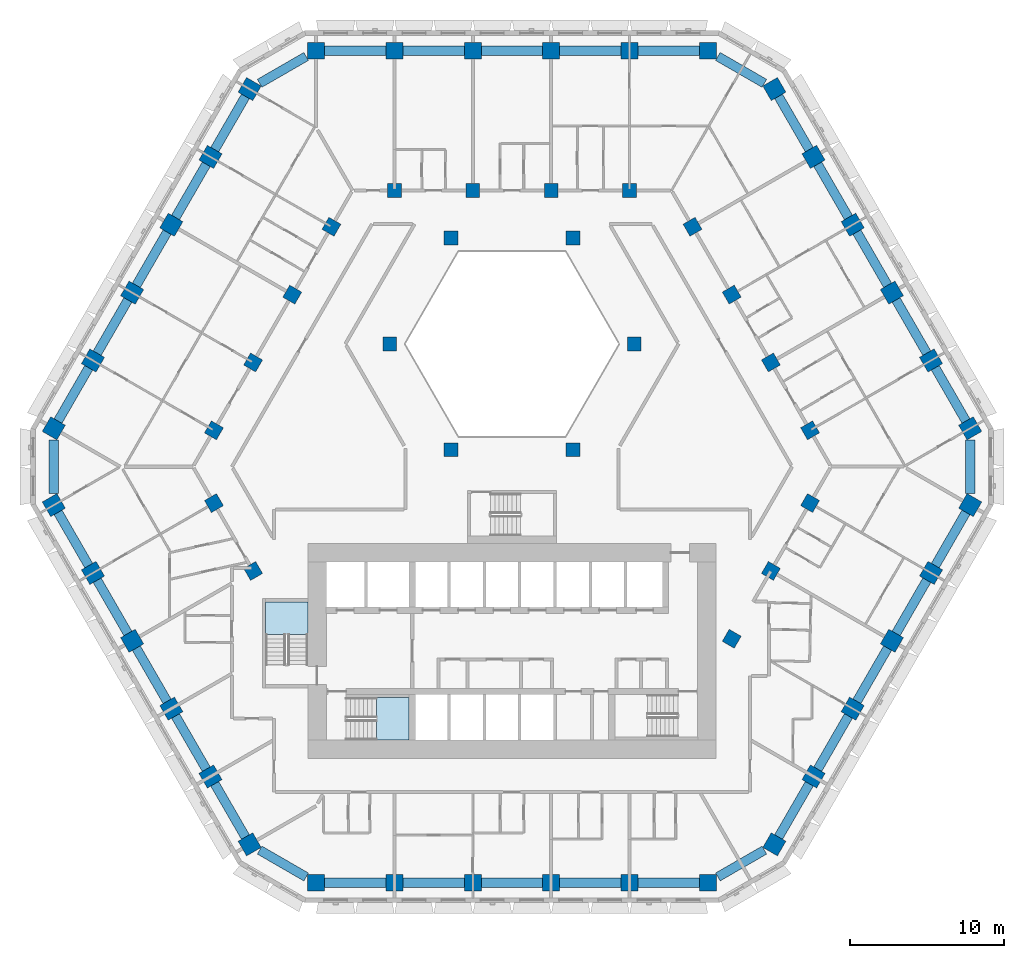
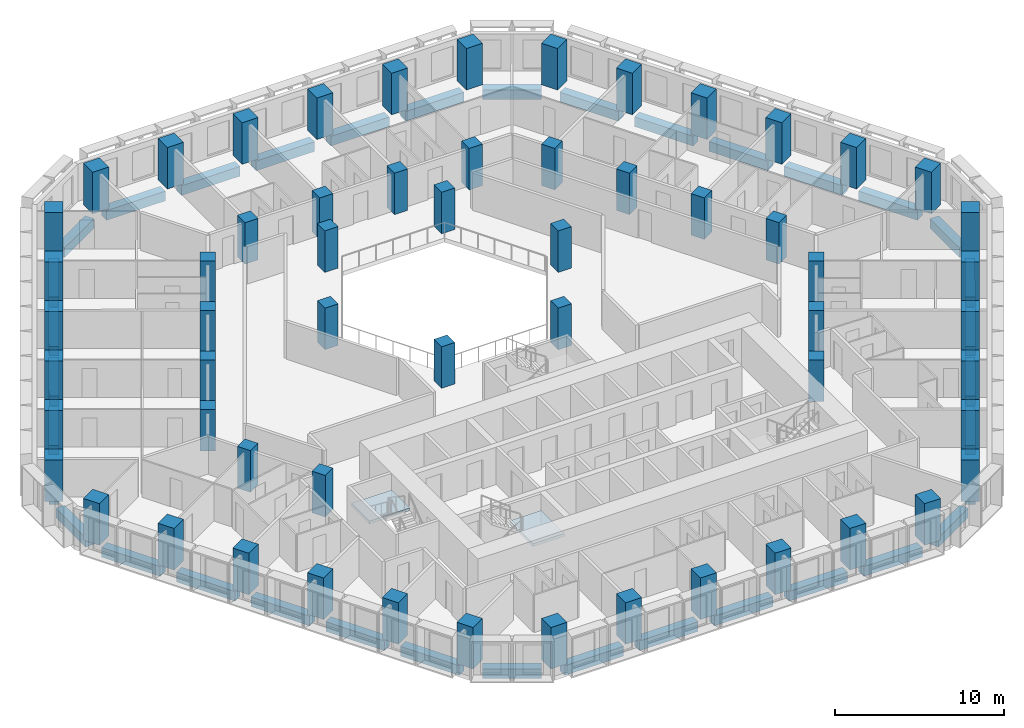
# One storey, part 1 of 21: 59 columns, 36 beams, 2 slabs, 2 elements without a shape of their own.
"""IFC4 building model written with IfcOpenShell, lengths in metres."""

from ifc_helpers import new_model, si_unit, direction, frame, origin, origin_2d, place, context, subcontext, project, spatial, polyline, rectangle, outline, extrude, material, layer, layer_set, material_profile, profile_set, type_object, element, aggregate, save


model = new_model("IFC4")

# Units and contexts
model_context = context("Model", 3, precision=1e-05, world=origin(), true_north=direction((0.0, 1.0)))
body_context = subcontext(model_context, "Body", "Model", "MODEL_VIEW")
ifc_project = project(units=[si_unit("LENGTHUNIT", "METRE"), si_unit("AREAUNIT", "SQUARE_METRE"), si_unit("VOLUMEUNIT", "CUBIC_METRE"), si_unit("PLANEANGLEUNIT", "RADIAN"), si_unit("MASSUNIT", "GRAM", prefix="KILO")], contexts=[model_context])

# Site, building, storey
site_placement = place(None, origin())
site = spatial("IfcSite", under=ifc_project, at=site_placement, CompositionType="ELEMENT")
building_placement = place(site_placement, origin())
building = spatial("IfcBuilding", under=site, at=building_placement, Name="Beryl Residences", CompositionType="ELEMENT")
storey_placement = place(building_placement, frame((0.0, 0.0, 35.39990234375)))
storey = spatial("IfcBuildingStorey", under=building, at=storey_placement, Name="L10", CompositionType="ELEMENT", Elevation=35.39990234375)

# Columns
ifc_material_1 = material(Name="Concrete C80/95", Category="concrete")
ifc_material_profile_1 = material_profile(ifc_material_1, rectangle(XDim=1.10009765625, YDim=1.10009765625, at=origin_2d()))
ifc_profile_set_1 = profile_set([ifc_material_profile_1], Name="Concrete C80/95")
column_type_1 = type_object("IfcColumnType", Name="C1 tube column 1100 x 1100 C80/95", PredefinedType="COLUMN", material=ifc_profile_set_1)
for number, where, z_axis, x_axis, name in (
    (1, (12.759033203125, 27.10009765625, 0.0), (0.0, 0.0, 1.0), (-1.0, 0.0, 0.0), "C1-N1 L10"),
    (2, (7.655029296875, 27.10009765625, 0.0), (0.0, 0.0, 1.0), (-1.0, 0.0, 0.0), "C1-N2 L10"),
    (3, (2.551025390625, 27.10009765625, 0.0), (0.0, 0.0, 1.0), (-1.0, 0.0, 0.0), "C1-N3 L10"),
    (4, (-2.552978515625, 27.10009765625, 0.0), (0.0, 0.0, 1.0), (-1.0, 0.0, 0.0), "C1-N4 L10"),
    (5, (-7.656982421875, 27.10009765625, 0.0), (0.0, 0.0, 1.0), (-1.0, 0.0, 0.0), "C1-N5 L10"),
    (6, (-12.760986328125, 27.10009765625, 0.0), (0.0, 0.0, 1.0), (-1.0, 0.0, 0.0), "C1-N6 L10"),
    (7, (-17.090087890625, 24.60009765625, 0.0), (0.0, 0.0, 1.0), (-0.499984884929, -0.866034130299, 0.0), "C1-NW1 L10"),
    (8, (-19.64208984375, 20.179931640625, 0.0), (0.0, 0.0, 1.0), (-0.499984884929, -0.866034130299, 0.0), "C1-NW2 L10"),
    (9, (-22.194091796875, 15.759033203125, 0.0), (0.0, 0.0, 1.0), (-0.499984884929, -0.866034130299, 0.0), "C1-NW3 L10"),
    (10, (-24.74609375, 11.339111328125, 0.0), (0.0, 0.0, 1.0), (-0.499984884929, -0.866034130299, 0.0), "C1-NW4 L10"),
    (11, (-27.298095703125, 6.9189453125, 0.0), (0.0, 0.0, 1.0), (-0.499984884929, -0.866034130299, 0.0), "C1-NW5 L10"),
    (12, (-29.84912109375, 2.4990234375, 0.0), (0.0, 0.0, 1.0), (-0.499984884929, -0.866034130299, 0.0), "C1-NW6 L10"),
    (13, (-29.847900390625, -2.5, 0.0), (0.0, 0.0, 1.0), (0.499984884929, -0.866034130299, 0.0), "C1-SW1 L10"),
    (14, (-27.297119140625, -6.9208984375, 0.0), (0.0, 0.0, 1.0), (0.499984884929, -0.866034130299, 0.0), "C1-SW2 L10"),
    (15, (-24.7451171875, -11.341064453125, 0.0), (0.0, 0.0, 1.0), (0.499984884929, -0.866034130299, 0.0), "C1-SW3 L10"),
    (16, (-22.193115234375, -15.760986328125, 0.0), (0.0, 0.0, 1.0), (0.499984884929, -0.866034130299, 0.0), "C1-SW4 L10"),
    (17, (-19.64111328125, -20.180908203125, 0.0), (0.0, 0.0, 1.0), (0.499984884929, -0.866034130299, 0.0), "C1-SW5 L10"),
    (18, (-17.089111328125, -24.60107421875, 0.0), (0.0, 0.0, 1.0), (0.499984884929, -0.866034130299, 0.0), "C1-SW6 L10"),
    (19, (-12.759033203125, -27.10009765625, 0.0), (0.0, 0.0, 1.0), (1.0, 0.0, 0.0), "C1-S1 L10"),
    (20, (-7.655029296875, -27.10009765625, 0.0), (0.0, 0.0, 1.0), (1.0, 0.0, 0.0), "C1-S2 L10"),
    (21, (-2.551025390625, -27.10009765625, 0.0), (0.0, 0.0, 1.0), (1.0, 0.0, 0.0), "C1-S3 L10"),
    (22, (2.552978515625, -27.10009765625, 0.0), (0.0, 0.0, 1.0), (1.0, 0.0, 0.0), "C1-S4 L10"),
    (23, (7.656982421875, -27.10009765625, 0.0), (0.0, 0.0, 1.0), (1.0, 0.0, 0.0), "C1-S5 L10"),
    (24, (12.760986328125, -27.10009765625, 0.0), (0.0, 0.0, 1.0), (1.0, 0.0, 0.0), "C1-S6 L10"),
    (25, (17.090087890625, -24.60009765625, 0.0), (0.0, 0.0, 1.0), (0.499984884929, 0.866034130299, 0.0), "C1-SE1 L10"),
    (26, (19.64208984375, -20.179931640625, 0.0), (0.0, 0.0, 1.0), (0.499984884929, 0.866034130299, 0.0), "C1-SE2 L10"),
    (27, (22.194091796875, -15.759033203125, 0.0), (0.0, 0.0, 1.0), (0.499984884929, 0.866034130299, 0.0), "C1-SE3 L10"),
    (28, (24.74609375, -11.339111328125, 0.0), (0.0, 0.0, 1.0), (0.499984884929, 0.866034130299, 0.0), "C1-SE4 L10"),
    (29, (27.298095703125, -6.9189453125, 0.0), (0.0, 0.0, 1.0), (0.499984884929, 0.866034130299, 0.0), "C1-SE5 L10"),
    (30, (29.84912109375, -2.4990234375, 0.0), (0.0, 0.0, 1.0), (0.499984884929, 0.866034130299, 0.0), "C1-SE6 L10"),
    (31, (29.847900390625, 2.5, 0.0), (0.0, 0.0, 1.0), (-0.499984884929, 0.866034130299, 0.0), "C1-NE1 L10"),
    (32, (27.297119140625, 6.9208984375, 0.0), (0.0, 0.0, 1.0), (-0.499984884929, 0.866034130299, 0.0), "C1-NE2 L10"),
    (33, (24.7451171875, 11.341064453125, 0.0), (0.0, 0.0, 1.0), (-0.499984884929, 0.866034130299, 0.0), "C1-NE3 L10"),
    (34, (22.193115234375, 15.760986328125, 0.0), (0.0, 0.0, 1.0), (-0.499984884929, 0.866034130299, 0.0), "C1-NE4 L10"),
    (35, (19.64111328125, 20.180908203125, 0.0), (0.0, 0.0, 1.0), (-0.499984884929, 0.866034130299, 0.0), "C1-NE5 L10"),
    (36, (17.089111328125, 24.60107421875, 0.0), (0.0, 0.0, 1.0), (-0.499984884929, 0.866034130299, 0.0), "C1-NE6 L10"),
):
    element("IfcColumn", number, at=place(storey_placement, frame(where, z_axis=z_axis, x_axis=x_axis)), inside=storey, type_object=column_type_1, Name=name, PredefinedType="COLUMN", context=body_context, shape_type="SweptSolid", body=[
        extrude(rectangle(XDim=1.10009765625, YDim=1.10009765625, at=origin_2d()), origin(), (0.0, 0.0, 1.0), 3.0),
    ])
ifc_material_2 = material(Name="Concrete C80/95", Category="concrete")
ifc_material_profile_2 = material_profile(ifc_material_2, rectangle(XDim=0.89990234375, YDim=0.89990234375, at=origin_2d()))
ifc_profile_set_2 = profile_set([ifc_material_profile_2], Name="Concrete C80/95")
column_type_2 = type_object("IfcColumnType", Name="IC1 interior column 900 x 900 C80/95", PredefinedType="COLUMN", material=ifc_profile_set_2)
for number, where, z_axis, x_axis, name in (
    (37, (-19.416015625, -2.37109375, 0.0), (0.0, 0.0, 1.0), (0.499984884929, -0.866034130299, 0.0), "IC1-M01 L10"),
    (38, (-16.864013671875, -6.791015625, 0.0), (0.0, 0.0, 1.0), (0.499984884929, -0.866034130299, 0.0), "IC1-M02 L10"),
    (39, (14.31298828125, -11.208984375, 0.0), (0.0, 0.0, 1.0), (0.499984884929, 0.866034130299, 0.0), "IC1-M03 L10"),
    (40, (16.864990234375, -6.7890625, 0.0), (0.0, 0.0, 1.0), (0.499984884929, 0.866034130299, 0.0), "IC1-M04 L10"),
    (41, (19.4169921875, -2.368896484375, 0.0), (0.0, 0.0, 1.0), (0.499984884929, 0.866034130299, 0.0), "IC1-M05 L10"),
    (42, (19.416015625, 2.37109375, 0.0), (0.0, 0.0, 1.0), (-0.499984884929, 0.866034130299, 0.0), "IC1-M06 L10"),
    (43, (3.98388671875, 1.10009765625, 0.0), (0.0, 0.0, 1.0), (1.0, 0.0, 0.0), "IC1-A07 L10"),
    (44, (16.864013671875, 6.791015625, 0.0), (0.0, 0.0, 1.0), (-0.499984884929, 0.866034130299, 0.0), "IC1-M08 L10"),
    (45, (14.31201171875, 11.2109375, 0.0), (0.0, 0.0, 1.0), (-0.499984884929, 0.866034130299, 0.0), "IC1-M09 L10"),
    (46, (7.967041015625, 8.0, 0.0), (0.0, 0.0, 1.0), (1.0, 0.0, 0.0), "IC1-A10 L10"),
    (47, (11.760009765625, 15.631103515625, 0.0), (0.0, 0.0, 1.0), (-0.499984884929, 0.866034130299, 0.0), "IC1-M11 L10"),
    (48, (7.655029296875, 18.0, 0.0), (0.0, 0.0, 1.0), (-1.0, 0.0, 0.0), "IC1-M12 L10"),
    (49, (3.98388671875, 14.89990234375, 0.0), (0.0, 0.0, 1.0), (1.0, 0.0, 0.0), "IC1-A13 L10"),
    (50, (2.551025390625, 18.0, 0.0), (0.0, 0.0, 1.0), (-1.0, 0.0, 0.0), "IC1-M14 L10"),
    (51, (-2.552978515625, 18.0, 0.0), (0.0, 0.0, 1.0), (-1.0, 0.0, 0.0), "IC1-M15 L10"),
    (52, (-3.98388671875, 14.89990234375, 0.0), (0.0, 0.0, 1.0), (1.0, 0.0, 0.0), "IC1-A16 L10"),
    (53, (-7.656982421875, 18.0, 0.0), (0.0, 0.0, 1.0), (-1.0, 0.0, 0.0), "IC1-M17 L10"),
    (54, (-11.760986328125, 15.6298828125, 0.0), (0.0, 0.0, 1.0), (-0.499984884929, -0.866034130299, 0.0), "IC1-M18 L10"),
    (55, (-7.967041015625, 8.0, 0.0), (0.0, 0.0, 1.0), (1.0, 0.0, 0.0), "IC1-A19 L10"),
    (56, (-14.31298828125, 11.208984375, 0.0), (0.0, 0.0, 1.0), (-0.499984884929, -0.866034130299, 0.0), "IC1-M20 L10"),
    (57, (-16.864990234375, 6.7890625, 0.0), (0.0, 0.0, 1.0), (-0.499984884929, -0.866034130299, 0.0), "IC1-M21 L10"),
    (58, (-3.98388671875, 1.10009765625, 0.0), (0.0, 0.0, 1.0), (1.0, 0.0, 0.0), "IC1-A22 L10"),
    (59, (-19.4169921875, 2.368896484375, 0.0), (0.0, 0.0, 1.0), (-0.499984884929, -0.866034130299, 0.0), "IC1-M23 L10"),
):
    element("IfcColumn", number, at=place(storey_placement, frame(where, z_axis=z_axis, x_axis=x_axis)), inside=storey, type_object=column_type_2, Name=name, PredefinedType="COLUMN", context=body_context, shape_type="SweptSolid", body=[
        extrude(rectangle(XDim=0.89990234375, YDim=0.89990234375, at=origin_2d()), origin(), (0.0, 0.0, 1.0), 3.0),
    ])

# Beams
ifc_material_3 = material(Name="Concrete C80/95", Category="concrete")
ifc_material_profile_3 = material_profile(ifc_material_3, rectangle(XDim=0.60009765625, YDim=0.699951171875, at=origin_2d()))
ifc_profile_set_3 = profile_set([ifc_material_profile_3], Name="Concrete C80/95")
beam_type = type_object("IfcBeamType", Name="SB1 spandrel beam 600 x 700 C80/95", PredefinedType="SPANDREL", material=ifc_profile_set_3)
for number, where, z_axis, x_axis, name in (
    (60, (12.208984375, 27.10009765625, -0.64990234375), (-1.0, 0.0, 0.0), (0.0, -1.0, 0.0), "SB1 L10 N-0"),
    (61, (7.10498046875, 27.10009765625, -0.64990234375), (-1.0, 0.0, 0.0), (0.0, -1.0, 0.0), "SB1 L10 N-1"),
    (62, (2.0009765625, 27.10009765625, -0.64990234375), (-1.0, 0.0, 0.0), (0.0, -1.0, 0.0), "SB1 L10 N-2"),
    (63, (-3.10302734375, 27.10009765625, -0.64990234375), (-1.0, 0.0, 0.0), (0.0, -1.0, 0.0), "SB1 L10 N-3"),
    (64, (-8.20703125, 27.10009765625, -0.64990234375), (-1.0, 0.0, 0.0), (0.0, -1.0, 0.0), "SB1 L10 N-4"),
):
    element("IfcBeam", number, at=place(storey_placement, frame(where, z_axis=z_axis, x_axis=x_axis)), inside=storey, type_object=beam_type, Name=name, PredefinedType="SPANDREL", context=body_context, shape_type="SweptSolid", body=[
        extrude(rectangle(XDim=0.60009765625, YDim=0.699951171875, at=origin_2d()), origin(), (0.0, 0.0, 1.0), 4.00390625),
    ])
beam_1_placement = place(storey_placement, frame((-13.410888671875, 26.72412109375, -0.64990234375), z_axis=(-0.866121658299, -0.499833245218, 0.0), x_axis=(0.499833245218, -0.866121658299, 0.0)))
element("IfcBeam", 65, at=beam_1_placement, inside=storey, type_object=beam_type, Name="SB1 L10 N-5", PredefinedType="SPANDREL", context=body_context, shape_type="SweptSolid", body=[
    extrude(rectangle(XDim=0.60009765625, YDim=0.699951171875, at=origin_2d()), origin(), (0.0, 0.0, 1.0), 3.497314453125),
])
beam_2_placement = place(storey_placement, frame((-17.364990234375, 24.1240234375, -0.64990234375), z_axis=(-0.499942357345, -0.866058681229, 0.0), x_axis=(0.866058681229, -0.499942357345, 0.0)))
element("IfcBeam", 66, at=beam_2_placement, inside=storey, type_object=beam_type, Name="SB1 L10 NW-0", PredefinedType="SPANDREL", context=body_context, shape_type="SweptSolid", body=[
    extrude(rectangle(XDim=0.60009765625, YDim=0.699951171875, at=origin_2d()), origin(), (0.0, 0.0, 1.0), 4.00439453125),
])
beam_3_placement = place(storey_placement, frame((-19.9169921875, 19.7041015625, -0.64990234375), z_axis=(-0.499836783367, -0.866119616446, 0.0), x_axis=(0.866119616446, -0.499836783367, 0.0)))
element("IfcBeam", 67, at=beam_3_placement, inside=storey, type_object=beam_type, Name="SB1 L10 NW-1", PredefinedType="SPANDREL", context=body_context, shape_type="SweptSolid", body=[
    extrude(rectangle(XDim=0.60009765625, YDim=0.699951171875, at=origin_2d()), origin(), (0.0, 0.0, 1.0), 4.005126953125),
])
for number, where, z_axis, x_axis, name in (
    (68, (-22.468994140625, 15.282958984375, -0.64990234375), (-0.499942357345, -0.866058681229, 0.0), (0.866058681229, -0.499942357345, 0.0), "SB1 L10 NW-2"),
    (69, (-25.02099609375, 10.863037109375, -0.64990234375), (-0.499942357345, -0.866058681229, 0.0), (0.866058681229, -0.499942357345, 0.0), "SB1 L10 NW-3"),
):
    element("IfcBeam", number, at=place(storey_placement, frame(where, z_axis=z_axis, x_axis=x_axis)), inside=storey, type_object=beam_type, Name=name, PredefinedType="SPANDREL", context=body_context, shape_type="SweptSolid", body=[
        extrude(rectangle(XDim=0.60009765625, YDim=0.699951171875, at=origin_2d()), origin(), (0.0, 0.0, 1.0), 4.00439453125),
    ])
beam_4_placement = place(storey_placement, frame((-27.572998046875, 6.443115234375, -0.64990234375), z_axis=(-0.499759404093, -0.866164267342, 0.0), x_axis=(0.866164267342, -0.499759404093, 0.0)))
element("IfcBeam", 70, at=beam_4_placement, inside=storey, type_object=beam_type, Name="SB1 L10 NW-4", PredefinedType="SPANDREL", context=body_context, shape_type="SweptSolid", body=[
    extrude(rectangle(XDim=0.60009765625, YDim=0.699951171875, at=origin_2d()), origin(), (0.0, 0.0, 1.0), 4.00390625),
])
beam_5_placement = place(storey_placement, frame((-29.84912109375, 1.748046875, -0.64990234375), z_axis=(0.000349064486, -0.999999939077, 0.0), x_axis=(0.999999939077, 0.000349064486, 0.0)))
element("IfcBeam", 71, at=beam_5_placement, inside=storey, type_object=beam_type, Name="SB1 L10 NW-5", PredefinedType="SPANDREL", context=body_context, shape_type="SweptSolid", body=[
    extrude(rectangle(XDim=0.60009765625, YDim=0.699951171875, at=origin_2d()), origin(), (0.0, 0.0, 1.0), 3.4970703125),
])
beam_6_placement = place(storey_placement, frame((-29.572998046875, -2.97607421875, -0.64990234375), z_axis=(0.499653843024, -0.866225165388, 0.0), x_axis=(0.866225165388, 0.499653843024, 0.0)))
element("IfcBeam", 72, at=beam_6_placement, inside=storey, type_object=beam_type, Name="SB1 L10 SW-0", PredefinedType="SPANDREL", context=body_context, shape_type="SweptSolid", body=[
    extrude(rectangle(XDim=0.60009765625, YDim=0.699951171875, at=origin_2d()), origin(), (0.0, 0.0, 1.0), 4.004638671875),
])
for number, where, z_axis, x_axis, name in (
    (73, (-27.02197265625, -7.39697265625, -0.64990234375), (0.499942357345, -0.866058681229, 0.0), (0.866058681229, 0.499942357345, 0.0), "SB1 L10 SW-1"),
    (74, (-24.469970703125, -11.81689453125, -0.64990234375), (0.499942357345, -0.866058681229, 0.0), (0.866058681229, 0.499942357345, 0.0), "SB1 L10 SW-2"),
    (75, (-21.91796875, -16.237060546875, -0.64990234375), (0.499942357345, -0.866058681229, 0.0), (0.866058681229, 0.499942357345, 0.0), "SB1 L10 SW-3"),
    (76, (-19.365966796875, -20.656982421875, -0.64990234375), (0.499942357345, -0.866058681229, 0.0), (0.866058681229, 0.499942357345, 0.0), "SB1 L10 SW-4"),
):
    element("IfcBeam", number, at=place(storey_placement, frame(where, z_axis=z_axis, x_axis=x_axis)), inside=storey, type_object=beam_type, Name=name, PredefinedType="SPANDREL", context=body_context, shape_type="SweptSolid", body=[
        extrude(rectangle(XDim=0.60009765625, YDim=0.699951171875, at=origin_2d()), origin(), (0.0, 0.0, 1.0), 4.00439453125),
    ])
beam_7_placement = place(storey_placement, frame((-16.43896484375, -24.97607421875, -0.64990234375), z_axis=(0.866070549782, -0.499921796684, 0.0), x_axis=(0.499921796684, 0.866070549782, 0.0)))
element("IfcBeam", 77, at=beam_7_placement, inside=storey, type_object=beam_type, Name="SB1 L10 SW-5", PredefinedType="SPANDREL", context=body_context, shape_type="SweptSolid", body=[
    extrude(rectangle(XDim=0.60009765625, YDim=0.699951171875, at=origin_2d()), origin(), (0.0, 0.0, 1.0), 3.49853515625),
])
for number, where, z_axis, x_axis, name in (
    (78, (-12.208984375, -27.10009765625, -0.64990234375), (1.0, 0.0, 0.0), (0.0, 1.0, 0.0), "SB1 L10 S-0"),
    (79, (-7.10498046875, -27.10009765625, -0.64990234375), (1.0, 0.0, 0.0), (0.0, 1.0, 0.0), "SB1 L10 S-1"),
    (80, (-2.0009765625, -27.10009765625, -0.64990234375), (1.0, 0.0, 0.0), (0.0, 1.0, 0.0), "SB1 L10 S-2"),
    (81, (3.10302734375, -27.10009765625, -0.64990234375), (1.0, 0.0, 0.0), (0.0, 1.0, 0.0), "SB1 L10 S-3"),
    (82, (8.20703125, -27.10009765625, -0.64990234375), (1.0, 0.0, 0.0), (0.0, 1.0, 0.0), "SB1 L10 S-4"),
):
    element("IfcBeam", number, at=place(storey_placement, frame(where, z_axis=z_axis, x_axis=x_axis)), inside=storey, type_object=beam_type, Name=name, PredefinedType="SPANDREL", context=body_context, shape_type="SweptSolid", body=[
        extrude(rectangle(XDim=0.60009765625, YDim=0.699951171875, at=origin_2d()), origin(), (0.0, 0.0, 1.0), 4.00390625),
    ])
beam_8_placement = place(storey_placement, frame((13.410888671875, -26.72412109375, -0.64990234375), z_axis=(0.866121658299, 0.499833245218, 0.0), x_axis=(-0.499833245218, 0.866121658299, 0.0)))
element("IfcBeam", 83, at=beam_8_placement, inside=storey, type_object=beam_type, Name="SB1 L10 S-5", PredefinedType="SPANDREL", context=body_context, shape_type="SweptSolid", body=[
    extrude(rectangle(XDim=0.60009765625, YDim=0.699951171875, at=origin_2d()), origin(), (0.0, 0.0, 1.0), 3.497314453125),
])
beam_9_placement = place(storey_placement, frame((17.364990234375, -24.1240234375, -0.64990234375), z_axis=(0.499942357345, 0.866058681229, 0.0), x_axis=(-0.866058681229, 0.499942357345, 0.0)))
element("IfcBeam", 84, at=beam_9_placement, inside=storey, type_object=beam_type, Name="SB1 L10 SE-0", PredefinedType="SPANDREL", context=body_context, shape_type="SweptSolid", body=[
    extrude(rectangle(XDim=0.60009765625, YDim=0.699951171875, at=origin_2d()), origin(), (0.0, 0.0, 1.0), 4.00439453125),
])
beam_10_placement = place(storey_placement, frame((19.9169921875, -19.7041015625, -0.64990234375), z_axis=(0.499836783367, 0.866119616446, 0.0), x_axis=(-0.866119616446, 0.499836783367, 0.0)))
element("IfcBeam", 85, at=beam_10_placement, inside=storey, type_object=beam_type, Name="SB1 L10 SE-1", PredefinedType="SPANDREL", context=body_context, shape_type="SweptSolid", body=[
    extrude(rectangle(XDim=0.60009765625, YDim=0.699951171875, at=origin_2d()), origin(), (0.0, 0.0, 1.0), 4.005126953125),
])
for number, where, z_axis, x_axis, name in (
    (86, (22.468994140625, -15.282958984375, -0.64990234375), (0.499942357345, 0.866058681229, 0.0), (-0.866058681229, 0.499942357345, 0.0), "SB1 L10 SE-2"),
    (87, (25.02099609375, -10.863037109375, -0.64990234375), (0.499942357345, 0.866058681229, 0.0), (-0.866058681229, 0.499942357345, 0.0), "SB1 L10 SE-3"),
):
    element("IfcBeam", number, at=place(storey_placement, frame(where, z_axis=z_axis, x_axis=x_axis)), inside=storey, type_object=beam_type, Name=name, PredefinedType="SPANDREL", context=body_context, shape_type="SweptSolid", body=[
        extrude(rectangle(XDim=0.60009765625, YDim=0.699951171875, at=origin_2d()), origin(), (0.0, 0.0, 1.0), 4.00439453125),
    ])
beam_11_placement = place(storey_placement, frame((27.572998046875, -6.443115234375, -0.64990234375), z_axis=(0.499759404093, 0.866164267342, 0.0), x_axis=(-0.866164267342, 0.499759404093, 0.0)))
element("IfcBeam", 88, at=beam_11_placement, inside=storey, type_object=beam_type, Name="SB1 L10 SE-4", PredefinedType="SPANDREL", context=body_context, shape_type="SweptSolid", body=[
    extrude(rectangle(XDim=0.60009765625, YDim=0.699951171875, at=origin_2d()), origin(), (0.0, 0.0, 1.0), 4.00390625),
])
beam_12_placement = place(storey_placement, frame((29.84912109375, -1.748046875, -0.64990234375), z_axis=(-0.000349064486, 0.999999939077, 0.0), x_axis=(-0.999999939077, -0.000349064486, 0.0)))
element("IfcBeam", 89, at=beam_12_placement, inside=storey, type_object=beam_type, Name="SB1 L10 SE-5", PredefinedType="SPANDREL", context=body_context, shape_type="SweptSolid", body=[
    extrude(rectangle(XDim=0.60009765625, YDim=0.699951171875, at=origin_2d()), origin(), (0.0, 0.0, 1.0), 3.4970703125),
])
beam_13_placement = place(storey_placement, frame((29.572998046875, 2.97607421875, -0.64990234375), z_axis=(-0.499653843024, 0.866225165388, 0.0), x_axis=(-0.866225165388, -0.499653843024, 0.0)))
element("IfcBeam", 90, at=beam_13_placement, inside=storey, type_object=beam_type, Name="SB1 L10 NE-0", PredefinedType="SPANDREL", context=body_context, shape_type="SweptSolid", body=[
    extrude(rectangle(XDim=0.60009765625, YDim=0.699951171875, at=origin_2d()), origin(), (0.0, 0.0, 1.0), 4.004638671875),
])
for number, where, z_axis, x_axis, name in (
    (91, (27.02197265625, 7.39697265625, -0.64990234375), (-0.499942357345, 0.866058681229, 0.0), (-0.866058681229, -0.499942357345, 0.0), "SB1 L10 NE-1"),
    (92, (24.469970703125, 11.81689453125, -0.64990234375), (-0.499942357345, 0.866058681229, 0.0), (-0.866058681229, -0.499942357345, 0.0), "SB1 L10 NE-2"),
    (93, (21.91796875, 16.237060546875, -0.64990234375), (-0.499942357345, 0.866058681229, 0.0), (-0.866058681229, -0.499942357345, 0.0), "SB1 L10 NE-3"),
    (94, (19.365966796875, 20.656982421875, -0.64990234375), (-0.499942357345, 0.866058681229, 0.0), (-0.866058681229, -0.499942357345, 0.0), "SB1 L10 NE-4"),
):
    element("IfcBeam", number, at=place(storey_placement, frame(where, z_axis=z_axis, x_axis=x_axis)), inside=storey, type_object=beam_type, Name=name, PredefinedType="SPANDREL", context=body_context, shape_type="SweptSolid", body=[
        extrude(rectangle(XDim=0.60009765625, YDim=0.699951171875, at=origin_2d()), origin(), (0.0, 0.0, 1.0), 4.00439453125),
    ])
beam_14_placement = place(storey_placement, frame((16.43896484375, 24.97607421875, -0.64990234375), z_axis=(-0.866070549782, 0.499921796684, 0.0), x_axis=(-0.499921796684, -0.866070549782, 0.0)))
element("IfcBeam", 95, at=beam_14_placement, inside=storey, type_object=beam_type, Name="SB1 L10 NE-5", PredefinedType="SPANDREL", context=body_context, shape_type="SweptSolid", body=[
    extrude(rectangle(XDim=0.60009765625, YDim=0.699951171875, at=origin_2d()), origin(), (0.0, 0.0, 1.0), 3.49853515625),
])

# Stair, slab
ifc_material_4 = material(Name="Concrete C40/50", Category="concrete")
stair_type = type_object("IfcStairType", Name="ST1 protected exit stair, half-turn, 1300 mm flights", PredefinedType="HALF_TURN_STAIR", material=ifc_material_4)
stair_1_placement = place(storey_placement, origin())
stair_1 = element("IfcStair", 96, at=stair_1_placement, inside=storey, type_object=stair_type, Name="L10 PROTECTED EXIT STAIR ST-1", PredefinedType="HALF_TURN_STAIR")
ifc_material_5 = material(Name="Concrete C40/50", Category="concrete")
ifc_layer = layer(ifc_material_5, 0.199951171875)
ifc_layer_set = layer_set([ifc_layer], Name="SLD1 stair landing 200 mm")
slab_type = type_object("IfcSlabType", Name="SLD1 stair landing 200 mm", PredefinedType="LANDING", material=ifc_layer_set)
slab_1_placement = place(storey_placement, frame((0.0, 0.0, 1.300048828125)))
slab_1 = element("IfcSlab", 97, at=slab_1_placement, type_object=slab_type, Name="ST-1 landing 1", PredefinedType="LANDING", context=body_context, shape_type="SweptSolid", body=[
    extrude(outline(polyline([(-8.840087890625, -17.800048828125), (-6.699951171875, -17.800048828125), (-6.699951171875, -15.050048828125), (-8.840087890625, -15.050048828125), (-8.840087890625, -17.800048828125)])), origin(), (0.0, 0.0, 1.0), 0.199951171875),
])
aggregate(stair_1, [slab_1])

stair_2_placement = place(storey_placement, origin())
stair_2 = element("IfcStair", 98, at=stair_2_placement, inside=storey, type_object=stair_type, Name="L10 PROTECTED EXIT STAIR ST-2", PredefinedType="HALF_TURN_STAIR")
slab_2_placement = place(storey_placement, frame((0.0, 0.0, 1.300048828125)))
slab_2 = element("IfcSlab", 99, at=slab_2_placement, type_object=slab_type, Name="ST-2 landing 1", PredefinedType="LANDING", context=body_context, shape_type="SweptSolid", body=[
    extrude(outline(polyline([(-13.300048828125, -10.93994140625), (-13.300048828125, -8.800048828125), (-16.050048828125, -8.800048828125), (-16.050048828125, -10.93994140625), (-13.300048828125, -10.93994140625)])), origin(), (0.0, 0.0, 1.0), 0.199951171875),
])
aggregate(stair_2, [slab_2])

save(model, "model.ifc")
